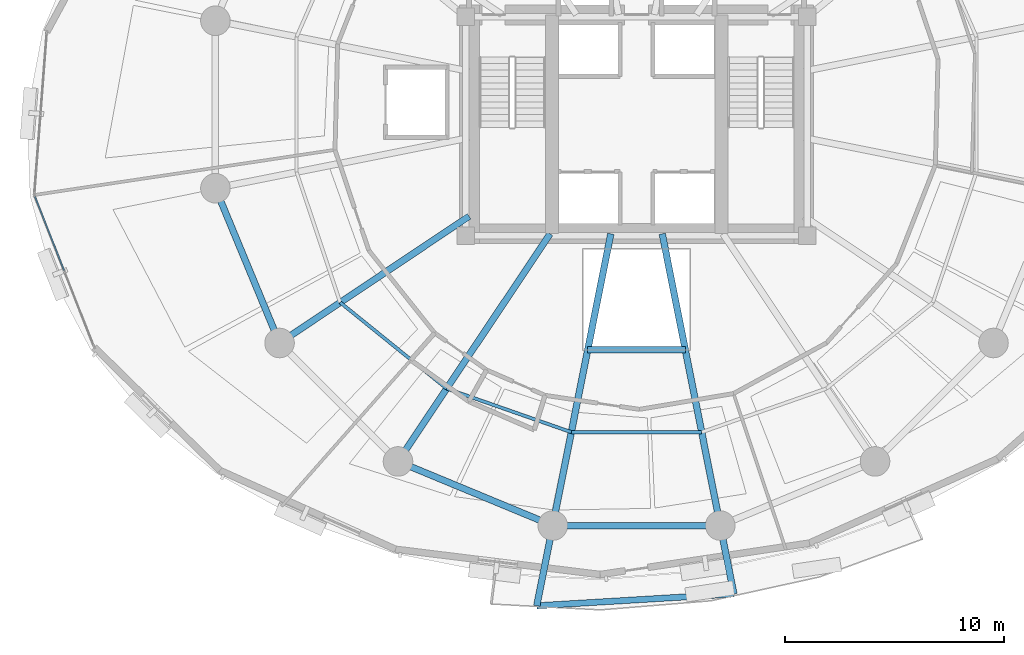
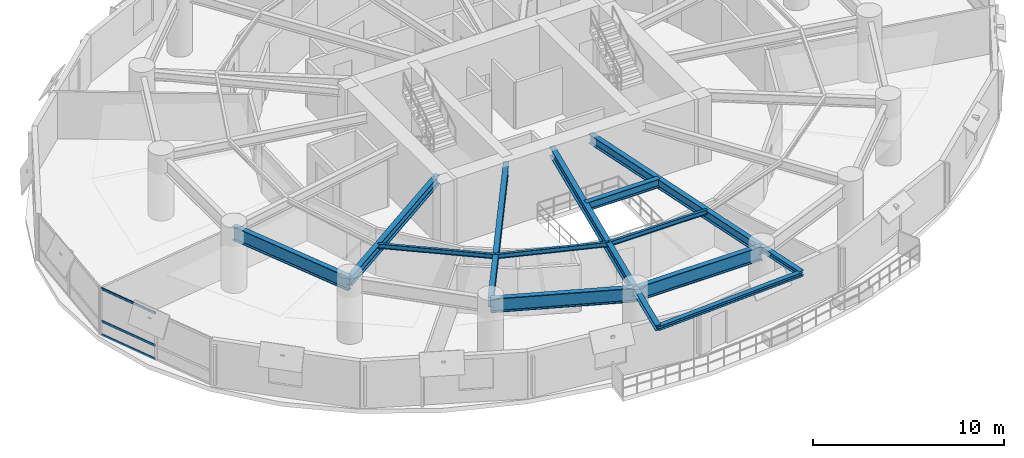
# One storey, part 3 of 17: 14 beams, 3 members, 1 element without a shape of its own.
"""IFC4 building model written with IfcOpenShell, lengths in metres."""

from ifc_helpers import new_model, si_unit, direction, frame, origin, origin_2d, place, context, subcontext, project, spatial, hollow_rectangle, i_section, extrude, material, layer, layer_set, material_profile, profile_set, type_object, element, aggregate, save


model = new_model("IFC4")

# Units and contexts
model_context = context("Model", 3, precision=1e-05, world=origin(), true_north=direction((0.0, 1.0)))
body_context = subcontext(model_context, "Body", "Model", "MODEL_VIEW")
ifc_project = project(units=[si_unit("LENGTHUNIT", "METRE"), si_unit("AREAUNIT", "SQUARE_METRE"), si_unit("VOLUMEUNIT", "CUBIC_METRE"), si_unit("PLANEANGLEUNIT", "RADIAN"), si_unit("MASSUNIT", "GRAM", prefix="KILO"), si_unit("THERMODYNAMICTEMPERATUREUNIT", "KELVIN"), si_unit("POWERUNIT", "WATT")], contexts=[model_context])

# Site, building, storey
site_placement = place(None, origin())
site = spatial("IfcSite", under=ifc_project, at=site_placement, CompositionType="ELEMENT")
building_placement = place(site_placement, origin())
building = spatial("IfcBuilding", under=site, at=building_placement, Name="Ocrelia Relay Tower", CompositionType="ELEMENT")
storey_placement = place(building_placement, frame((0.0, 0.0, 67.800048828125)))
storey = spatial("IfcBuildingStorey", under=building, at=storey_placement, Name="L15", CompositionType="ELEMENT", Elevation=67.800048828125)

# Beams
ifc_material_1 = material(Name="Steel S355", Category="steel")
ifc_material_profile_1 = material_profile(ifc_material_1, i_section(OverallWidth=0.280029296875, OverallDepth=0.27001953125, WebThickness=0.008056640625, FlangeThickness=0.012939453125, FilletRadius=0.02392578125, at=origin_2d()), Name="HEA 280")
ifc_profile_set_1 = profile_set([ifc_material_profile_1], Name="Steel S355")
beam_type_1 = type_object("IfcBeamType", Name="BM-HEA280", PredefinedType="BEAM", material=ifc_profile_set_1)
beam_1_placement = place(storey_placement, frame((29.447509765625, 3.113037109375, 3.784912109375), z_axis=(0.998218356714, 0.059666676792, 0.0), x_axis=(-0.059666676792, 0.998218356714, 0.0)))
element("IfcBeam", 1, at=beam_1_placement, inside=storey, type_object=beam_type_1, Name="L16 Balcony Edge Trimmer Beam B2", PredefinedType="BEAM", context=body_context, shape_type="SweptSolid", body=[
    extrude(i_section(OverallWidth=0.280029296875, OverallDepth=0.27001953125, WebThickness=0.008056640625, FlangeThickness=0.012939453125, FilletRadius=0.02392578125, at=origin_2d()), origin(), (0.0, 0.0, 1.0), 9.01416015625),
])
ifc_material_profile_2 = material_profile(ifc_material_1, i_section(OverallWidth=0.300048828125, OverallDepth=0.330078125, WebThickness=0.009521484375, FlangeThickness=0.0166015625, FilletRadius=0.027099609375, at=origin_2d()), Name="HEA 340")
ifc_profile_set_2 = profile_set([ifc_material_profile_2], Name="Steel S355")
beam_type_2 = type_object("IfcBeamType", Name="BM-HEA340", PredefinedType="BEAM", material=ifc_profile_set_2)
beam_2_placement = place(storey_placement, frame((30.17626953125, 6.776611328125, 3.7548828125), z_axis=(-0.195097930453, -0.98078376696, 0.0), x_axis=(0.98078376696, -0.195097930453, 0.0)))
element("IfcBeam", 2, at=beam_2_placement, inside=storey, type_object=beam_type_2, Name="L16 Balcony Cantilever Beam B2-1", PredefinedType="BEAM", context=body_context, shape_type="SweptSolid", body=[
    extrude(i_section(OverallWidth=0.300048828125, OverallDepth=0.330078125, WebThickness=0.009521484375, FlangeThickness=0.0166015625, FilletRadius=0.027099609375, at=origin_2d()), origin(), (0.0, 0.0, 1.0), 3.7353515625),
])
beam_3_placement = place(storey_placement, frame((37.82373046875, 6.776611328125, 3.7548828125), z_axis=(0.19511426826, -0.980780516895, 0.0), x_axis=(0.980780516895, 0.19511426826, 0.0)))
element("IfcBeam", 3, at=beam_3_placement, inside=storey, type_object=beam_type_2, Name="L16 Balcony Cantilever Beam B2-2", PredefinedType="BEAM", context=body_context, shape_type="SweptSolid", body=[
    extrude(i_section(OverallWidth=0.300048828125, OverallDepth=0.330078125, WebThickness=0.009521484375, FlangeThickness=0.0166015625, FilletRadius=0.027099609375, at=origin_2d()), origin(), (0.0, 0.0, 1.0), 3.18701171875),
])
ifc_material_profile_3 = material_profile(ifc_material_1, i_section(OverallWidth=0.300048828125, OverallDepth=0.550048828125, WebThickness=0.014892578125, FlangeThickness=0.029052734375, FilletRadius=0.027099609375, at=origin_2d()), Name="HEB 550")
ifc_profile_set_3 = profile_set([ifc_material_profile_3], Name="Steel S355")
beam_type_3 = type_object("IfcBeamType", Name="BM-HEB550", PredefinedType="BEAM", material=ifc_profile_set_3)
beam_4_placement = place(storey_placement, frame((31.772216796875, 14.800048828125, 3.64501953125), z_axis=(1.0, 0.0, 0.0), x_axis=(0.0, 1.0, 0.0)))
element("IfcBeam", 4, at=beam_4_placement, inside=storey, type_object=beam_type_3, Name="L15 Atrium South Trimmer Beam", PredefinedType="BEAM", context=body_context, shape_type="SweptSolid", body=[
    extrude(i_section(OverallWidth=0.300048828125, OverallDepth=0.550048828125, WebThickness=0.014892578125, FlangeThickness=0.029052734375, FilletRadius=0.027099609375, at=origin_2d()), origin(), (0.0, 0.0, 1.0), 4.45556640625),
])
ifc_material_profile_4 = material_profile(ifc_material_1, i_section(OverallWidth=0.300048828125, OverallDepth=0.60009765625, WebThickness=0.015380859375, FlangeThickness=0.030029296875, FilletRadius=0.027099609375, at=origin_2d()), Name="HEB 600")
ifc_profile_set_4 = profile_set([ifc_material_profile_4], Name="Steel S355")
beam_type_4 = type_object("IfcBeamType", Name="BM-HEB600", PredefinedType="BEAM", material=ifc_profile_set_4)
beam_5_placement = place(storey_placement, frame((17.703125, 15.11083984375, 3.619873046875), z_axis=(0.83146868639, 0.555571618743, 0.0), x_axis=(-0.555571618743, 0.83146868639, 0.0)))
element("IfcBeam", 5, at=beam_5_placement, inside=storey, type_object=beam_type_4, Name="L15 Radial Floor Girder R10", PredefinedType="BEAM", context=body_context, shape_type="SweptSolid", body=[
    extrude(i_section(OverallWidth=0.300048828125, OverallDepth=0.60009765625, WebThickness=0.015380859375, FlangeThickness=0.030029296875, FilletRadius=0.027099609375, at=origin_2d()), origin(), (0.0, 0.0, 1.0), 10.405517578125),
])
beam_6_placement = place(storey_placement, frame((23.11083984375, 9.703125, 3.619873046875), z_axis=(0.555569912646, 0.831469826369, 0.0), x_axis=(-0.831469826369, 0.555569912646, 0.0)))
element("IfcBeam", 6, at=beam_6_placement, inside=storey, type_object=beam_type_4, Name="L15 Radial Floor Girder R11", PredefinedType="BEAM", context=body_context, shape_type="SweptSolid", body=[
    extrude(i_section(OverallWidth=0.300048828125, OverallDepth=0.60009765625, WebThickness=0.015380859375, FlangeThickness=0.030029296875, FilletRadius=0.027099609375, at=origin_2d()), origin(), (0.0, 0.0, 1.0), 12.498046875),
])
for number, where, z_axis, x_axis, name in (
    (7, (30.17626953125, 6.776611328125, 3.619873046875), (0.195089155229, 0.980785512491, 0.0), (-0.980785512491, 0.195089155229, 0.0), "L15 Radial Floor Girder R12"),
    (8, (37.82373046875, 6.776611328125, 3.619873046875), (-0.195089155229, 0.980785512491, 0.0), (-0.980785512491, -0.195089155229, 0.0), "L15 Radial Floor Girder R13"),
):
    element("IfcBeam", number, at=place(storey_placement, frame(where, z_axis=z_axis, x_axis=x_axis)), inside=storey, type_object=beam_type_4, Name=name, PredefinedType="BEAM", context=body_context, shape_type="SweptSolid", body=[
        extrude(i_section(OverallWidth=0.300048828125, OverallDepth=0.60009765625, WebThickness=0.015380859375, FlangeThickness=0.030029296875, FilletRadius=0.027099609375, at=origin_2d()), origin(), (0.0, 0.0, 1.0), 13.579345703125),
    ])
ifc_material_profile_5 = material_profile(ifc_material_1, i_section(OverallWidth=0.300048828125, OverallDepth=0.89990234375, WebThickness=0.0185546875, FlangeThickness=0.034912109375, FilletRadius=0.030029296875, at=origin_2d()), Name="HEB 900")
ifc_profile_set_5 = profile_set([ifc_material_profile_5], Name="Steel S355")
beam_type_5 = type_object("IfcBeamType", Name="BM-HEB900", PredefinedType="BEAM", material=ifc_profile_set_5)
for number, where, z_axis, x_axis, name in (
    (9, (14.776611328125, 22.17626953125, 3.469970703125), (0.382674154222, -0.923883375589, 0.0), (0.923883375589, 0.382674154222, 0.0), "L15 Perimeter Spandrel Beam S09"),
    (10, (23.11083984375, 9.703125, 3.469970703125), (0.923883375589, -0.382674154222, 0.0), (0.382674154222, 0.923883375589, 0.0), "L15 Perimeter Spandrel Beam S11"),
    (11, (30.17626953125, 6.776611328125, 3.469970703125), (1.0, 0.0, 0.0), (0.0, 1.0, 0.0), "L15 Perimeter Spandrel Beam S12"),
):
    element("IfcBeam", number, at=place(storey_placement, frame(where, z_axis=z_axis, x_axis=x_axis)), inside=storey, type_object=beam_type_5, Name=name, PredefinedType="BEAM", context=body_context, shape_type="SweptSolid", body=[
        extrude(i_section(OverallWidth=0.300048828125, OverallDepth=0.89990234375, WebThickness=0.0185546875, FlangeThickness=0.034912109375, FilletRadius=0.030029296875, at=origin_2d()), origin(), (0.0, 0.0, 1.0), 7.6474609375),
    ])
ifc_material_profile_6 = material_profile(ifc_material_1, i_section(OverallWidth=0.14990234375, OverallDepth=0.300048828125, WebThickness=0.007080078125, FlangeThickness=0.0107421875, FilletRadius=0.014892578125, at=origin_2d()), Name="IPE 300")
ifc_profile_set_6 = profile_set([ifc_material_profile_6], Name="Steel S355")
beam_type_6 = type_object("IfcBeamType", Name="BM-IPE300", PredefinedType="JOIST", material=ifc_profile_set_6)
beam_7_placement = place(storey_placement, frame((20.4716796875, 16.960693359375, 3.77001953125), z_axis=(0.77748215158, -0.628905003935, 0.0), x_axis=(0.628905003935, 0.77748215158, 0.0)))
element("IfcBeam", 12, at=beam_7_placement, inside=storey, type_object=beam_type_6, Name="L15 Secondary Floor Joist J10", PredefinedType="JOIST", context=body_context, shape_type="SweptSolid", body=[
    extrude(i_section(OverallWidth=0.14990234375, OverallDepth=0.300048828125, WebThickness=0.007080078125, FlangeThickness=0.0107421875, FilletRadius=0.014892578125, at=origin_2d()), origin(), (0.0, 0.0, 1.0), 6.25244140625),
])
beam_8_placement = place(storey_placement, frame((25.332763671875, 13.028564453125, 3.77001953125), z_axis=(0.943957429675, -0.330067221882, 0.0), x_axis=(0.330067221882, 0.943957429675, 0.0)))
element("IfcBeam", 13, at=beam_8_placement, inside=storey, type_object=beam_type_6, Name="L15 Secondary Floor Joist J11", PredefinedType="JOIST", context=body_context, shape_type="SweptSolid", body=[
    extrude(i_section(OverallWidth=0.14990234375, OverallDepth=0.300048828125, WebThickness=0.007080078125, FlangeThickness=0.0107421875, FilletRadius=0.014892578125, at=origin_2d()), origin(), (0.0, 0.0, 1.0), 6.029052734375),
])
beam_9_placement = place(storey_placement, frame((31.02392578125, 11.03857421875, 3.77001953125), z_axis=(1.0, 0.0, 0.0), x_axis=(0.0, 1.0, 0.0)))
element("IfcBeam", 14, at=beam_9_placement, inside=storey, type_object=beam_type_6, Name="L15 Secondary Floor Joist J12", PredefinedType="JOIST", context=body_context, shape_type="SweptSolid", body=[
    extrude(i_section(OverallWidth=0.14990234375, OverallDepth=0.300048828125, WebThickness=0.007080078125, FlangeThickness=0.0107421875, FilletRadius=0.014892578125, at=origin_2d()), origin(), (0.0, 0.0, 1.0), 5.9521484375),
])

# Curtain wall, members
ifc_material_2 = material(Name="Aluminium and solar-control low-E glass", Category="aluminium")
ifc_layer = layer(ifc_material_2, 0.179931640625, Name="Aluminium and solar-control low-E glass")
ifc_layer_set = layer_set([ifc_layer], Name="Aluminium and solar-control low-E glass")
curtain_wall_type = type_object("IfcCurtainWallType", Name="CW-SYS-Z1-DATA", PredefinedType="NOTDEFINED", material=ifc_layer_set)
curtain_wall_placement = place(storey_placement, origin())
curtain_wall = element("IfcCurtainWall", 15, at=curtain_wall_placement, inside=storey, type_object=curtain_wall_type, Name="L15 Elliptical Tower Curtain Wall Bay 10", PredefinedType="NOTDEFINED")
ifc_material_3 = material(Name="Anodised bronze aluminium", Category="aluminium")
ifc_material_profile_7 = material_profile(ifc_material_3, hollow_rectangle(XDim=0.06494140625, YDim=0.139892578125, WallThickness=0.0048828125, at=origin_2d()), Name="CW-TRN-140x65")
ifc_profile_set_7 = profile_set([ifc_material_profile_7], Name="Anodised bronze aluminium")
member_type = type_object("IfcMemberType", Name="CW-SYS-Z1-DATA-TRN", PredefinedType="USERDEFINED", material=ifc_profile_set_7)
member_1_placement = place(storey_placement, frame((6.53466796875, 21.8017578125, 0.032470703125), z_axis=(0.366681418555, -0.930346568375, 0.0), x_axis=(0.930346568375, 0.366681418555, 0.0)))
member_1 = element("IfcMember", 16, at=member_1_placement, type_object=member_type, Name="CW-Z1 transom 1.1", ObjectType="TRANSOM", PredefinedType="USERDEFINED", context=body_context, shape_type="SweptSolid", body=[
    extrude(hollow_rectangle(XDim=0.06494140625, YDim=0.139892578125, WallThickness=0.0048828125, at=origin_2d()), origin(), (0.0, 0.0, 1.0), 3.632568359375),
])
member_2_placement = place(storey_placement, frame((6.53466796875, 21.8017578125, 0.89990234375), z_axis=(0.366681418555, -0.930346568375, 0.0), x_axis=(0.930346568375, 0.366681418555, 0.0)))
member_2 = element("IfcMember", 17, at=member_2_placement, type_object=member_type, Name="CW-Z1 transom 1.2", ObjectType="TRANSOM", PredefinedType="USERDEFINED", context=body_context, shape_type="SweptSolid", body=[
    extrude(hollow_rectangle(XDim=0.06494140625, YDim=0.139892578125, WallThickness=0.0048828125, at=origin_2d()), origin(), (0.0, 0.0, 1.0), 3.632568359375),
])
member_3_placement = place(storey_placement, frame((6.53466796875, 21.8017578125, 2.967529296875), z_axis=(0.366681418555, -0.930346568375, 0.0), x_axis=(0.930346568375, 0.366681418555, 0.0)))
member_3 = element("IfcMember", 18, at=member_3_placement, type_object=member_type, Name="CW-Z1 transom 1.3", ObjectType="TRANSOM", PredefinedType="USERDEFINED", context=body_context, shape_type="SweptSolid", body=[
    extrude(hollow_rectangle(XDim=0.06494140625, YDim=0.139892578125, WallThickness=0.0048828125, at=origin_2d()), origin(), (0.0, 0.0, 1.0), 3.632568359375),
])
aggregate(curtain_wall, [member_1, member_2, member_3])

save(model, "model.ifc")
